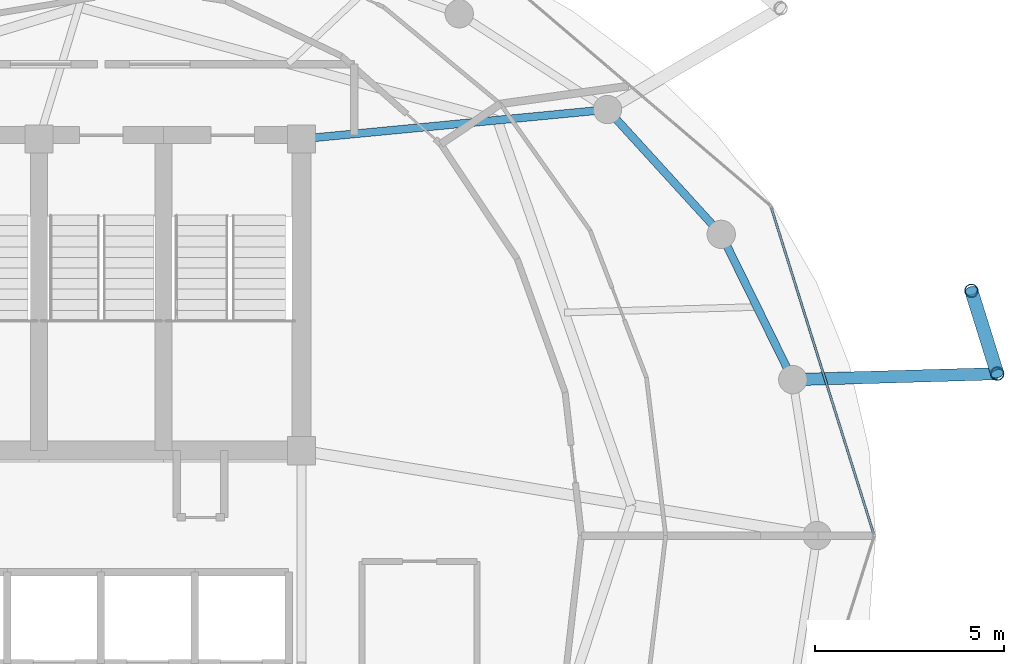
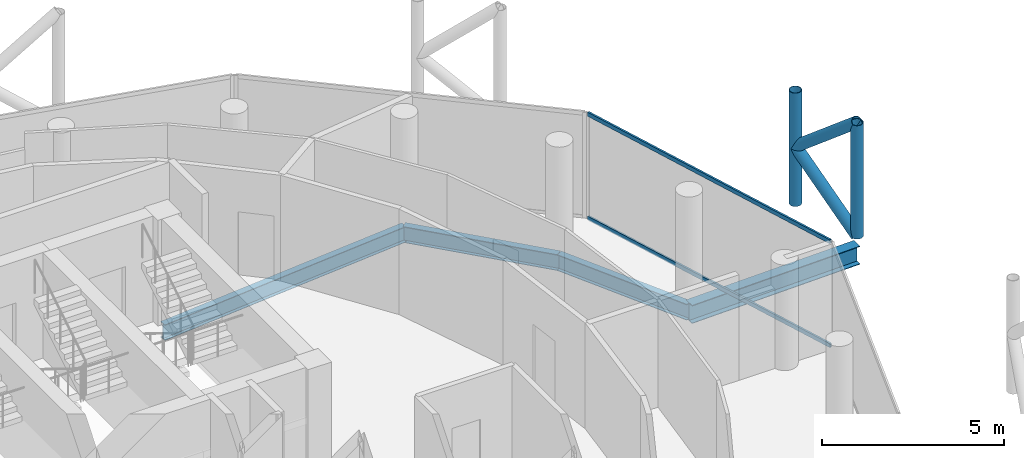
# One storey, part 13 of 24: 6 members, 4 beams, 1 element without a shape of its own.
"""IFC4 building model written with IfcOpenShell, lengths in metres."""

import ifcopenshell
import ifcopenshell.guid

model = None  # the IFC model being written
_history = None  # IfcOwnerHistory: only IFC2X3 demands one
_inside = {}  # id of a spatial element -> (the spatial element, [elements in it])
_under = {}  # id of a project, library or spatial element -> (it, [spatial elements below it])
_declared = {}  # id of a project -> (the project, [libraries it declares])
_typed = {}  # id of a type object -> (the type object, [elements of that type])
_made_of = {}  # id of a material, layer set ... -> (it, [elements and type objects made of it])


def new_model(schema):
    """Start an empty IFC model of exactly this schema.

    Asked for "IFC4X3", IfcOpenShell would pick the latest addendum, in which some entities
    have other attributes; the version numbers below select the first issue.
    IFC2X3 requires an IfcOwnerHistory on every rooted entity: one is made here for all.
    """
    global model, _history
    if schema == "IFC4X3":
        model = ifcopenshell.file(schema_version=(4, 3, 0, 0))
    else:
        model = ifcopenshell.file(schema=schema)
    _inside.clear()
    _under.clear()
    _declared.clear()
    _typed.clear()
    _made_of.clear()
    _history = None
    if model.schema == "IFC2X3":
        org = make("IfcOrganization", Name="unknown")
        user = make(
            "IfcPersonAndOrganization",
            ThePerson=make("IfcPerson", FamilyName="unknown"),
            TheOrganization=org,
        )
        app = make(
            "IfcApplication",
            ApplicationDeveloper=org,
            Version="unknown",
            ApplicationFullName="unknown",
            ApplicationIdentifier="unknown",
        )
        _history = make(
            "IfcOwnerHistory",
            OwningUser=user,
            OwningApplication=app,
            ChangeAction="ADDED",
            CreationDate=0,
        )
    return model


def make(cls, **values):
    """One entity of the class cls with the attributes given. An attribute that is None is left unset."""
    return model.create_entity(
        cls, **{name: value for name, value in values.items() if value is not None}
    )


def rooted(cls, **values):
    """An entity with a GlobalId (a new one), such as an element, a storey or a relation."""
    return make(cls, GlobalId=ifcopenshell.guid.new(), OwnerHistory=_history, **values)


def si_unit(unit_type, name, prefix=None):
    """IfcSIUnit, for example si_unit("LENGTHUNIT", "METRE", prefix="MILLI")."""
    return make("IfcSIUnit", UnitType=unit_type, Prefix=prefix, Name=name)


def assignment(units):
    """IfcUnitAssignment: the units of a project."""
    return None if units is None else make("IfcUnitAssignment", Units=units)


def point(xyz):
    """IfcCartesianPoint."""
    return None if xyz is None else make("IfcCartesianPoint", Coordinates=xyz)


def direction(xyz):
    """IfcDirection."""
    return None if xyz is None else make("IfcDirection", DirectionRatios=xyz)


def frame(location, z_axis=None, x_axis=None):
    """IfcAxis2Placement3D, a coordinate frame: its origin and axes. An axis left out is left unset."""
    return make(
        "IfcAxis2Placement3D",
        Location=point(location),
        Axis=direction(z_axis),
        RefDirection=direction(x_axis),
    )


def frame_2d(location, x_axis=None):
    """IfcAxis2Placement2D, a coordinate frame in the plane: its origin and x axis."""
    return make(
        "IfcAxis2Placement2D", Location=point(location), RefDirection=direction(x_axis)
    )


def origin():
    """The frame at (0, 0, 0) with its axes left unset."""
    return frame((0.0, 0.0, 0.0))


def origin_2d():
    """The frame at (0, 0) in the plane with its x axis left unset."""
    return frame_2d((0.0, 0.0))


def place(relative_to, where):
    """IfcLocalPlacement: puts the frame where relative to a parent placement (None: the world)."""
    return make(
        "IfcLocalPlacement", PlacementRelTo=relative_to, RelativePlacement=where
    )


def context(
    kind, dimensions, precision=None, world=None, true_north=None, identifier=None
):
    """IfcGeometricRepresentationContext, for example the 3D "Model" context."""
    return make(
        "IfcGeometricRepresentationContext",
        ContextIdentifier=identifier,
        ContextType=kind,
        CoordinateSpaceDimension=dimensions,
        Precision=precision,
        WorldCoordinateSystem=world,
        TrueNorth=true_north,
    )


def subcontext(parent, identifier, kind, view, scale=None):
    """IfcGeometricRepresentationSubContext, for example "Body" below "Model"."""
    return make(
        "IfcGeometricRepresentationSubContext",
        ContextIdentifier=identifier,
        ContextType=kind,
        ParentContext=parent,
        TargetScale=scale,
        TargetView=view,
    )


def project(units=None, contexts=None):
    """IfcProject with its units and contexts."""
    return rooted(
        "IfcProject",
        Name="project",
        RepresentationContexts=contexts,
        UnitsInContext=assignment(units),
    )


def spatial(cls, under=None, at=None, **own):
    """A site, building, storey or space (cls), placed at a placement, below another one or the project."""
    s = rooted(cls, ObjectPlacement=at, **own)
    if under is not None:
        _under.setdefault(under.id(), (under, []))[1].append(s)
    return s


def profile(cls, at=None, kind="AREA", **sizes):
    """A parametric profile (cls). Its sizes go by their IFC names, for example OverallWidth=200.0."""
    return make(cls, ProfileType=kind, Position=at, **sizes)


def hollow_rectangle(**sizes):
    """IfcRectangleHollowProfileDef."""
    return profile("IfcRectangleHollowProfileDef", **sizes)


def hollow_circle(**sizes):
    """IfcCircleHollowProfileDef."""
    return profile("IfcCircleHollowProfileDef", **sizes)


def i_section(**sizes):
    """IfcIShapeProfileDef."""
    return profile("IfcIShapeProfileDef", **sizes)


def extrude(swept, where, along, depth):
    """IfcExtrudedAreaSolid: the profile swept, set in the frame where, extruded along a direction by depth."""
    return make(
        "IfcExtrudedAreaSolid",
        SweptArea=swept,
        Position=where,
        ExtrudedDirection=direction(along),
        Depth=depth,
    )


def shape(context_of_items, identifier, shape_type, items):
    """IfcShapeRepresentation: the items that make up one representation, for example the "Body"."""
    return make(
        "IfcShapeRepresentation",
        ContextOfItems=context_of_items,
        RepresentationIdentifier=identifier,
        RepresentationType=shape_type,
        Items=items,
    )


def material(Name=None, Category=None):
    """IfcMaterial."""
    return make("IfcMaterial", Name=Name, Category=Category)


def layer(
    of_material, thickness, ventilated=None, Name=None, Category=None, Priority=None
):
    """IfcMaterialLayer: one layer of a wall or slab, of a material (None: an air gap)."""
    return make(
        "IfcMaterialLayer",
        Material=of_material,
        LayerThickness=thickness,
        IsVentilated=ventilated,
        Name=Name,
        Category=Category,
        Priority=Priority,
    )


def layer_set(layers, Name=None):
    """IfcMaterialLayerSet."""
    return make("IfcMaterialLayerSet", MaterialLayers=layers, LayerSetName=Name)


def material_profile(
    of_material, cross_section, Name=None, Category=None, Priority=None
):
    """IfcMaterialProfile: a cross section and its material."""
    return make(
        "IfcMaterialProfile",
        Name=Name,
        Material=of_material,
        Profile=cross_section,
        Priority=Priority,
        Category=Category,
    )


def profile_set(profiles, Name=None, composite=None):
    """IfcMaterialProfileSet."""
    return make(
        "IfcMaterialProfileSet",
        Name=Name,
        MaterialProfiles=profiles,
        CompositeProfile=composite,
    )


def made_of(thing, what):
    """Note that an element or type object is made of a material, layer set ...; save() writes the relation."""
    if what is not None:
        _made_of.setdefault(what.id(), (what, []))[1].append(thing)
    return thing


def type_object(cls, material=None, **own):
    """A type object (cls), such as IfcWallType, which elements share."""
    return made_of(rooted(cls, **own), material)


def element(
    cls,
    number,
    at=None,
    inside=None,
    cuts=None,
    type_object=None,
    material=None,
    context=None,
    identifier="Body",
    shape_type=None,
    held_by="IfcProductDefinitionShape",
    body=None,
    shapes=None,
    **own,
):
    """One element of the class cls, such as IfcWall. Its Tag is "e" and its number.

    at: its placement. inside: the storey or other place that contains it. cuts: it is an
    opening in that element (IfcRelVoidsElement). A single representation is given by context,
    identifier, shape_type and body (its items); several are given by shapes. held_by: the class
    of the entity that holds the representations. save() writes the other relations.
    """
    e = rooted(cls, Tag="e%d" % number, ObjectPlacement=at, **own)
    if body is not None:
        shapes = [shape(context, identifier, shape_type, body)]
    if shapes is not None:
        e.Representation = make(held_by, Representations=shapes)
    if inside is not None:
        _inside.setdefault(inside.id(), (inside, []))[1].append(e)
    if cuts is not None:
        rooted(
            "IfcRelVoidsElement", RelatingBuildingElement=cuts, RelatedOpeningElement=e
        )
    if type_object is not None:
        _typed.setdefault(type_object.id(), (type_object, []))[1].append(e)
    return made_of(e, material)


def aggregate(whole, parts):
    """IfcRelAggregates: a whole, such as a stair, and the parts it consists of."""
    return rooted("IfcRelAggregates", RelatingObject=whole, RelatedObjects=parts)


def save(model, path):
    """Write the relations noted so far, then the file.

    IfcRelAggregates (storeys below a building ...), IfcRelContainedInSpatialStructure (elements
    in a storey), IfcRelDefinesByType, IfcRelAssociatesMaterial and IfcRelDeclares: one each for
    every whole, place, type object, material and project.
    """
    for whole, parts in _under.values():
        aggregate(whole, parts)
    for where, things in _inside.values():
        rooted(
            "IfcRelContainedInSpatialStructure",
            RelatedElements=things,
            RelatingStructure=where,
        )
    for kind, things in _typed.values():
        rooted("IfcRelDefinesByType", RelatedObjects=things, RelatingType=kind)
    for what, things in _made_of.values():
        rooted("IfcRelAssociatesMaterial", RelatedObjects=things, RelatingMaterial=what)
    for by, libraries in _declared.values():
        rooted("IfcRelDeclares", RelatingContext=by, RelatedDefinitions=libraries)
    model.write(path)


model = new_model("IFC4")

# Units and contexts
model_context = context("Model", 3, precision=1e-05, world=origin(), true_north=direction((0.0, 1.0)))
body_context = subcontext(model_context, "Body", "Model", "MODEL_VIEW")
ifc_project = project(units=[si_unit("LENGTHUNIT", "METRE"), si_unit("AREAUNIT", "SQUARE_METRE"), si_unit("VOLUMEUNIT", "CUBIC_METRE"), si_unit("PLANEANGLEUNIT", "RADIAN"), si_unit("MASSUNIT", "GRAM", prefix="KILO")], contexts=[model_context])

# Site, building, storey
site_placement = place(None, origin())
site = spatial("IfcSite", under=ifc_project, at=site_placement, CompositionType="ELEMENT")
building_placement = place(site_placement, origin())
building = spatial("IfcBuilding", under=site, at=building_placement, Name="Nuhasar Tower", CompositionType="ELEMENT")
storey_placement = place(building_placement, frame((0.0, 0.0, 270.800048828125)))
storey = spatial("IfcBuildingStorey", under=building, at=storey_placement, Name="L67", CompositionType="ELEMENT", Elevation=270.800048828125)

# Beams
ifc_material_1 = material(Name="Steel S355", Category="steel")
ifc_material_profile_1 = material_profile(ifc_material_1, i_section(OverallWidth=0.208984375, OverallDepth=0.528076171875, WebThickness=0.009521484375, FlangeThickness=0.01318359375, at=origin_2d()), Name="W21X55")
ifc_profile_set_1 = profile_set([ifc_material_profile_1], Name="Steel S355")
beam_type_1 = type_object("IfcBeamType", Name="BM-RAD-W21X55", PredefinedType="BEAM", material=ifc_profile_set_1)
beam_1_placement = place(storey_placement, frame((44.300048828125, 37.300048828125, -0.524169921875), z_axis=(0.99542073054, 0.095590633496, 0.0), x_axis=(-0.095590633496, 0.99542073054, 0.0)))
element("IfcBeam", 1, at=beam_1_placement, inside=storey, type_object=beam_type_1, Name="L67 Radial Floor Girder 05", PredefinedType="BEAM", context=body_context, shape_type="SweptSolid", body=[
    extrude(i_section(OverallWidth=0.208984375, OverallDepth=0.528076171875, WebThickness=0.009521484375, FlangeThickness=0.01318359375, at=origin_2d()), origin(), (0.0, 0.0, 1.0), 8.13720703125),
])
ifc_material_profile_2 = material_profile(ifc_material_1, i_section(OverallWidth=0.2099609375, OverallDepth=0.537109375, WebThickness=0.010986328125, FlangeThickness=0.017333984375, at=origin_2d()), Name="W21X68")
ifc_profile_set_2 = profile_set([ifc_material_profile_2], Name="Steel S355")
beam_type_2 = type_object("IfcBeamType", Name="BM-RING-W21X68", PredefinedType="SPANDREL", material=ifc_profile_set_2)
beam_2_placement = place(storey_placement, frame((57.303955078125, 30.927978515625, -0.528076171875), z_axis=(-0.441533119295, 0.897244952377, 0.0), x_axis=(-0.897244952377, -0.441533119295, 0.0)))
element("IfcBeam", 2, at=beam_2_placement, inside=storey, type_object=beam_type_2, Name="L67 Perimeter Ring Spandrel 02", PredefinedType="SPANDREL", context=body_context, shape_type="SweptSolid", body=[
    extrude(i_section(OverallWidth=0.2099609375, OverallDepth=0.537109375, WebThickness=0.010986328125, FlangeThickness=0.017333984375, at=origin_2d()), origin(), (0.0, 0.0, 1.0), 4.28759765625),
])
beam_3_placement = place(storey_placement, frame((55.410888671875, 34.77490234375, -0.528076171875), z_axis=(-0.673686302939, 0.739017432293, 0.0), x_axis=(-0.739017432293, -0.673686302939, 0.0)))
element("IfcBeam", 3, at=beam_3_placement, inside=storey, type_object=beam_type_2, Name="L67 Perimeter Ring Spandrel 03", PredefinedType="SPANDREL", context=body_context, shape_type="SweptSolid", body=[
    extrude(i_section(OverallWidth=0.2099609375, OverallDepth=0.537109375, WebThickness=0.010986328125, FlangeThickness=0.017333984375, at=origin_2d()), origin(), (0.0, 0.0, 1.0), 4.469482421875),
])
ifc_material_profile_3 = material_profile(ifc_material_1, i_section(OverallWidth=0.323974609375, OverallDepth=0.611083984375, WebThickness=0.0126953125, FlangeThickness=0.01904296875, at=origin_2d()), Name="W24X104")
ifc_profile_set_3 = profile_set([ifc_material_profile_3], Name="Steel S355")
beam_type_3 = type_object("IfcBeamType", Name="BM-TIE-W24X104", PredefinedType="BEAM", material=ifc_profile_set_3)
beam_4_placement = place(storey_placement, frame((57.303955078125, 30.927978515625, -0.56494140625), z_axis=(0.999574661214, 0.029163275875, 0.0), x_axis=(-0.029163275875, 0.999574661214, 0.0)))
element("IfcBeam", 4, at=beam_4_placement, inside=storey, type_object=beam_type_3, Name="L67 Exoskeleton Node Tie Beam 01", PredefinedType="BEAM", context=body_context, shape_type="SweptSolid", body=[
    extrude(i_section(OverallWidth=0.323974609375, OverallDepth=0.611083984375, WebThickness=0.0126953125, FlangeThickness=0.01904296875, at=origin_2d()), origin(), (0.0, 0.0, 1.0), 5.416259765625),
])

# Curtain wall, members
ifc_material_2 = material(Name="Aluminium 6063-T6", Category="aluminium")
ifc_layer = layer(ifc_material_2, 0.18994140625)
ifc_layer_set = layer_set([ifc_layer], Name="Aluminium 6063-T6")
curtain_wall_type = type_object("IfcCurtainWallType", Name="CW-Z4-PEN", PredefinedType="NOTDEFINED", material=ifc_layer_set)
curtain_wall_placement = place(storey_placement, origin())
curtain_wall = element("IfcCurtainWall", 5, at=curtain_wall_placement, inside=storey, type_object=curtain_wall_type, Name="L67 Unitised Curtain Wall 01", PredefinedType="NOTDEFINED")
ifc_material_profile_4 = material_profile(ifc_material_2, hollow_rectangle(XDim=0.06005859375, YDim=0.135009765625, WallThickness=0.00439453125, at=origin_2d()), Name="CWT-5")
ifc_profile_set_4 = profile_set([ifc_material_profile_4], Name="Aluminium 6063-T6")
member_type_1 = type_object("IfcMemberType", Name="CW-TRN-S5", PredefinedType="USERDEFINED", material=ifc_profile_set_4)
member_1_placement = place(storey_placement, frame((59.442138671875, 26.857177734375, 0.030029296875), z_axis=(-0.29956014073, 0.954077419335, 0.0), x_axis=(-0.954077419335, -0.29956014073, 0.0)))
member_1 = element("IfcMember", 6, at=member_1_placement, type_object=member_type_1, Name="CW-Z4 transom 1.1", ObjectType="TRANSOM", PredefinedType="USERDEFINED", context=body_context, shape_type="SweptSolid", body=[
    extrude(hollow_rectangle(XDim=0.06005859375, YDim=0.135009765625, WallThickness=0.00439453125, at=origin_2d()), origin(), (0.0, 0.0, 1.0), 9.0302734375),
])
member_2_placement = place(storey_placement, frame((59.442138671875, 26.857177734375, 3.510009765625), z_axis=(-0.29956014073, 0.954077419335, 0.0), x_axis=(-0.954077419335, -0.29956014073, 0.0)))
member_2 = element("IfcMember", 7, at=member_2_placement, type_object=member_type_1, Name="CW-Z4 transom 1.2", ObjectType="TRANSOM", PredefinedType="USERDEFINED", context=body_context, shape_type="SweptSolid", body=[
    extrude(hollow_rectangle(XDim=0.06005859375, YDim=0.135009765625, WallThickness=0.00439453125, at=origin_2d()), origin(), (0.0, 0.0, 1.0), 9.0302734375),
])
aggregate(curtain_wall, [member_1, member_2])

# Members
ifc_material_3 = material(Name="Steel S460", Category="steel")
ifc_material_profile_5 = material_profile(ifc_material_3, hollow_circle(Radius=0.177734375, WallThickness=0.015869140625, at=origin_2d()), Name="HSS355.6X15.9")
ifc_profile_set_5 = profile_set([ifc_material_profile_5], Name="Steel S460")
member_type_2 = type_object("IfcMemberType", Name="EXO-BRONZE-356", PredefinedType="BRACE", material=ifc_profile_set_5)
for number, where, z_axis, x_axis, name in (
    (8, (62.718017578125, 31.0859375, 0.0), (0.0, 0.0, 1.0), (1.0, 0.0, 0.0), "L67 Exoskeleton Chord Column EC-01A"),
    (9, (62.032958984375, 33.281005859375, 0.0), (0.0, 0.0, 1.0), (1.0, 0.0, 0.0), "L67 Exoskeleton Chord Column EC-01B"),
):
    element("IfcMember", number, at=place(storey_placement, frame(where, z_axis=z_axis, x_axis=x_axis)), inside=storey, type_object=member_type_2, Name=name, PredefinedType="BRACE", context=body_context, shape_type="SweptSolid", body=[
        extrude(hollow_circle(Radius=0.177734375, WallThickness=0.015869140625, at=origin_2d()), origin(), (0.0, 0.0, 1.0), 3.800048828125),
    ])
for number, where, z_axis, x_axis, name in (
    (10, (62.718017578125, 31.0859375, 0.0), (-0.229667527485, 0.735901902929, 0.636946792192), (-0.954591372974, -0.297918295247, 0.0), "L67 Bronze Diagrid Brace W1-01"),
    (11, (62.032958984375, 33.281005859375, 1.89990234375), (0.22965555433, -0.735863538482, 0.636995430987), (0.954591372974, 0.297918295247, 0.0), "L67 Bronze Diagrid Brace W2-01"),
):
    element("IfcMember", number, at=place(storey_placement, frame(where, z_axis=z_axis, x_axis=x_axis)), inside=storey, type_object=member_type_2, Name=name, PredefinedType="BRACE", context=body_context, shape_type="SweptSolid", body=[
        extrude(hollow_circle(Radius=0.177734375, WallThickness=0.015869140625, at=origin_2d()), origin(), (0.0, 0.0, 1.0), 2.98291015625),
    ])

save(model, "model.ifc")
